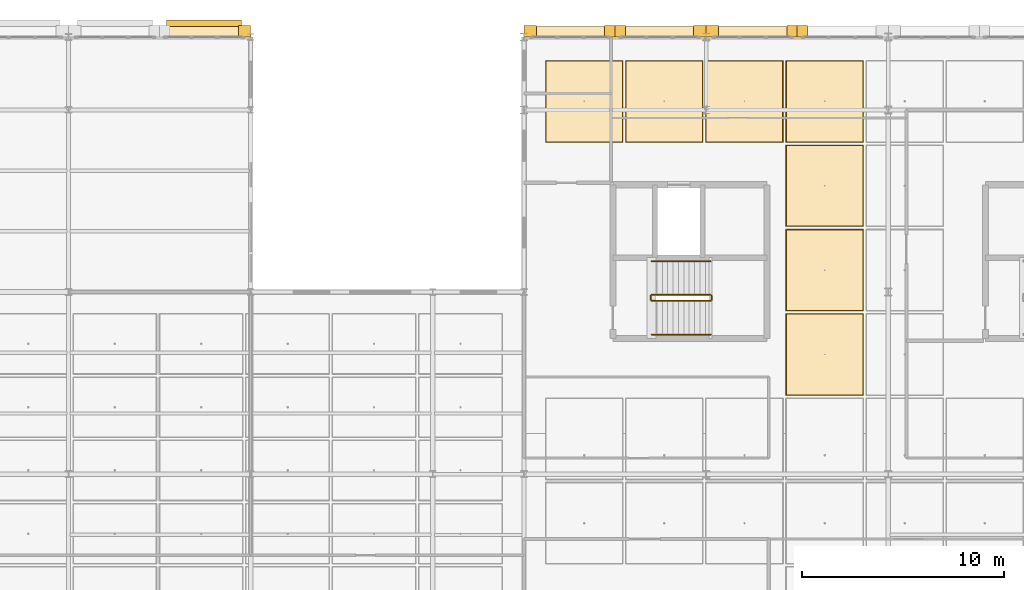
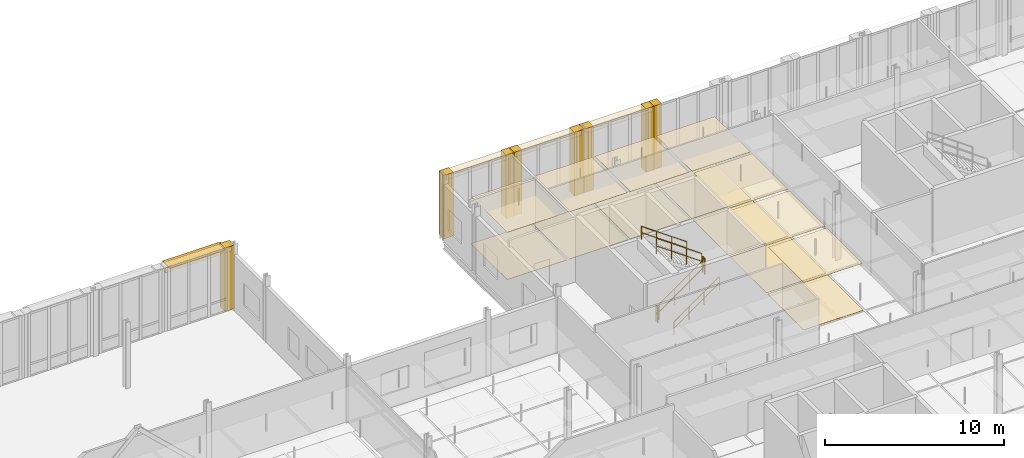
# One storey, part 127 of 130: 26 coverings, 6 railings, 1 shading device.
"""IFC4 building model written with IfcOpenShell, lengths in metres."""

from ifc_helpers import new_model, si_unit, direction, frame, origin, origin_2d, place, context, subcontext, project, spatial, rectangle, circle, extrude, material, layer, layer_set, type_object, element, save


model = new_model("IFC4")

# Units and contexts
model_context = context("Model", 3, precision=1e-05, world=origin(), true_north=direction((0.0, 1.0)))
body_context = subcontext(model_context, "Body", "Model", "MODEL_VIEW")
ifc_project = project(units=[si_unit("LENGTHUNIT", "METRE"), si_unit("AREAUNIT", "SQUARE_METRE"), si_unit("VOLUMEUNIT", "CUBIC_METRE"), si_unit("PLANEANGLEUNIT", "RADIAN"), si_unit("MASSUNIT", "GRAM", prefix="KILO"), si_unit("THERMODYNAMICTEMPERATUREUNIT", "KELVIN"), si_unit("POWERUNIT", "WATT")], contexts=[model_context])

# Site, building, storey
site_placement = place(None, origin())
site = spatial("IfcSite", under=ifc_project, at=site_placement, CompositionType="ELEMENT")
building_placement = place(site_placement, origin())
building = spatial("IfcBuilding", under=site, at=building_placement, Name="Tallowbark Science Centre", CompositionType="ELEMENT")
storey_placement = place(building_placement, frame((0.0, 0.0, 5.39990234375)))
storey = spatial("IfcBuildingStorey", under=building, at=storey_placement, Name="L01", CompositionType="ELEMENT", Elevation=5.39990234375)

# Coverings
ifc_material_1 = material(Name="Mineral-Fibre Acoustic Ceiling Tile Grid")
ifc_layer_1 = layer(ifc_material_1, 0.01806640625)
ifc_layer_set_1 = layer_set([ifc_layer_1], Name="Mineral-Fibre Acoustic Ceiling Tile Grid")
covering_type_1 = type_object("IfcCoveringType", Name="CLG-ACT-18", PredefinedType="CEILING", material=ifc_layer_set_1)
for number, where, z_axis, x_axis, name in (
    (1, (115.479248046875, 108.416748046875, 3.191162109375), (0.0, 0.0, 1.0), (1.0, 0.0, 0.0), "Suspended Ceiling L01-689"),
    (2, (119.4375, 108.416748046875, 3.191162109375), (0.0, 0.0, 1.0), (1.0, 0.0, 0.0), "Suspended Ceiling L01-692"),
    (3, (123.395751953125, 108.416748046875, 3.191162109375), (0.0, 0.0, 1.0), (1.0, 0.0, 0.0), "Suspended Ceiling L01-695"),
    (4, (127.354248046875, 95.916748046875, 3.191162109375), (0.0, 0.0, 1.0), (1.0, 0.0, 0.0), "Suspended Ceiling L01-701"),
    (5, (127.354248046875, 100.083251953125, 3.191162109375), (0.0, 0.0, 1.0), (1.0, 0.0, 0.0), "Suspended Ceiling L01-702"),
    (6, (127.354248046875, 104.25, 3.191162109375), (0.0, 0.0, 1.0), (1.0, 0.0, 0.0), "Suspended Ceiling L01-703"),
    (7, (127.354248046875, 108.416748046875, 3.191162109375), (0.0, 0.0, 1.0), (1.0, 0.0, 0.0), "Suspended Ceiling L01-704"),
):
    element("IfcCovering", number, at=place(storey_placement, frame(where, z_axis=z_axis, x_axis=x_axis)), inside=storey, type_object=covering_type_1, Name=name, PredefinedType="CEILING", context=body_context, shape_type="SweptSolid", body=[
        extrude(rectangle(XDim=3.7783203125, YDim=3.98681640625, at=origin_2d()), origin(), (0.0, 0.0, 1.0), 0.01806640625),
    ])
ifc_material_2 = material(Name="White Architectural Precast Concrete Grade N40 (40 MPa)", Category="concrete")
ifc_layer_2 = layer(ifc_material_2, 0.1201171875)
ifc_layer_set_2 = layer_set([ifc_layer_2], Name="White Architectural Precast Concrete Grade N40 (40 MPa)")
covering_type_2 = type_object("IfcCoveringType", Name="COV-PRC-CLAD", PredefinedType="CLADDING", material=ifc_layer_set_2)
for number, where, z_axis, x_axis, name in (
    (8, (98.695068359375, 111.8798828125, 0.0), (0.0, 0.0, 1.0), (-1.0, 0.0, 0.0), "Postmodern Deep Precast Pier CW-L01-057-1"),
    (9, (121.195068359375, 111.8798828125, 0.0), (0.0, 0.0, 1.0), (-1.0, 0.0, 0.0), "Postmodern Deep Precast Pier CW-L01-114-1"),
):
    element("IfcCovering", number, at=place(storey_placement, frame(where, z_axis=z_axis, x_axis=x_axis)), inside=storey, type_object=covering_type_2, Name=name, PredefinedType="CLADDING", context=body_context, shape_type="SweptSolid", body=[
        extrude(rectangle(XDim=0.610107421875, YDim=0.56005859375, at=origin_2d()), origin(), (0.0, 0.0, 1.0), 4.320068359375),
    ])
for number, where, z_axis, x_axis, name in (
    (10, (117.2548828125, 111.8798828125, 0.0), (0.0, 0.0, 1.0), (-1.0, 0.0, 0.0), "Postmodern Deep Precast Pier CW-L01-114-2"),
    (11, (116.7451171875, 111.8798828125, 0.0), (0.0, 0.0, 1.0), (-1.0, 0.0, 0.0), "Postmodern Deep Precast Pier CW-L01-115-1"),
):
    element("IfcCovering", number, at=place(storey_placement, frame(where, z_axis=z_axis, x_axis=x_axis)), inside=storey, type_object=covering_type_2, Name=name, PredefinedType="CLADDING", context=body_context, shape_type="SweptSolid", body=[
        extrude(rectangle(XDim=0.510009765625, YDim=0.56005859375, at=origin_2d()), origin(), (0.0, 0.0, 1.0), 4.320068359375),
    ])
covering_1_placement = place(storey_placement, frame((112.804931640625, 111.8798828125, 0.0), z_axis=(0.0, 0.0, 1.0), x_axis=(-1.0, 0.0, 0.0)))
element("IfcCovering", 12, at=covering_1_placement, inside=storey, type_object=covering_type_2, Name="Postmodern Deep Precast Pier CW-L01-115-2", PredefinedType="CLADDING", context=body_context, shape_type="SweptSolid", body=[
    extrude(rectangle(XDim=0.610107421875, YDim=0.56005859375, at=origin_2d()), origin(), (0.0, 0.0, 1.0), 4.320068359375),
])
for number, where, z_axis, x_axis, name in (
    (13, (126.2548828125, 111.8798828125, 0.0), (0.0, 0.0, 1.0), (-1.0, 0.0, 0.0), "Postmodern Deep Precast Pier CW-L01-118-2"),
    (14, (125.7451171875, 111.8798828125, 0.0), (0.0, 0.0, 1.0), (-1.0, 0.0, 0.0), "Postmodern Deep Precast Pier CW-L01-119-1"),
):
    element("IfcCovering", number, at=place(storey_placement, frame(where, z_axis=z_axis, x_axis=x_axis)), inside=storey, type_object=covering_type_2, Name=name, PredefinedType="CLADDING", context=body_context, shape_type="SweptSolid", body=[
        extrude(rectangle(XDim=0.510009765625, YDim=0.56005859375, at=origin_2d()), origin(), (0.0, 0.0, 1.0), 4.320068359375),
    ])
covering_2_placement = place(storey_placement, frame((121.804931640625, 111.8798828125, 0.0), z_axis=(0.0, 0.0, 1.0), x_axis=(-1.0, 0.0, 0.0)))
element("IfcCovering", 15, at=covering_2_placement, inside=storey, type_object=covering_type_2, Name="Postmodern Deep Precast Pier CW-L01-119-2", PredefinedType="CLADDING", context=body_context, shape_type="SweptSolid", body=[
    extrude(rectangle(XDim=0.610107421875, YDim=0.56005859375, at=origin_2d()), origin(), (0.0, 0.0, 1.0), 4.320068359375),
])
ifc_material_3 = material(Name="Vitrified Ochre Terracotta Architectural Rainscreen", Category="masonry")
ifc_layer_3 = layer(ifc_material_3, 0.0380859375)
ifc_layer_set_3 = layer_set([ifc_layer_3], Name="Vitrified Ochre Terracotta Architectural Rainscreen")
covering_type_3 = type_object("IfcCoveringType", Name="COV-TER-CLAD", PredefinedType="CLADDING", material=ifc_layer_set_3)
for number, where, z_axis, x_axis, name in (
    (16, (96.699951171875, 111.860107421875, 3.97021484375), (0.0, 0.0, 1.0), (-1.0, 0.0, 0.0), "Postmodern Terracotta Cornice Band CW-L01-057"),
    (17, (119.199951171875, 111.860107421875, 3.97021484375), (0.0, 0.0, 1.0), (-1.0, 0.0, 0.0), "Postmodern Terracotta Cornice Band CW-L01-114"),
    (18, (114.800048828125, 111.860107421875, 3.97021484375), (0.0, 0.0, 1.0), (-1.0, 0.0, 0.0), "Postmodern Terracotta Cornice Band CW-L01-115"),
    (19, (123.800048828125, 111.860107421875, 3.97021484375), (0.0, 0.0, 1.0), (-1.0, 0.0, 0.0), "Postmodern Terracotta Cornice Band CW-L01-119"),
):
    element("IfcCovering", number, at=place(storey_placement, frame(where, z_axis=z_axis, x_axis=x_axis)), inside=storey, type_object=covering_type_3, Name=name, PredefinedType="CLADDING", context=body_context, shape_type="SweptSolid", body=[
        extrude(rectangle(XDim=4.300048828125, YDim=0.52001953125, at=origin_2d()), origin(), (0.0, 0.0, 1.0), 0.340087890625),
    ])
ifc_material_4 = material(Name="Engineered Blackbutt Gallery Timber Flooring", Category="wood")
ifc_layer_4 = layer(ifc_material_4, 0.02197265625)
ifc_layer_set_4 = layer_set([ifc_layer_4], Name="Engineered Blackbutt Gallery Timber Flooring")
covering_type_4 = type_object("IfcCoveringType", Name="FLR-TIM-22", PredefinedType="FLOORING", material=ifc_layer_set_4)
for number, where, z_axis, x_axis, name in (
    (20, (115.479248046875, 108.416748046875, 0.0), (0.0, 0.0, 1.0), (1.0, 0.0, 0.0), "Floor Finish L01-689"),
    (21, (119.4375, 108.416748046875, 0.0), (0.0, 0.0, 1.0), (1.0, 0.0, 0.0), "Floor Finish L01-692"),
    (22, (123.395751953125, 108.416748046875, 0.0), (0.0, 0.0, 1.0), (1.0, 0.0, 0.0), "Floor Finish L01-695"),
    (23, (127.354248046875, 95.916748046875, 0.0), (0.0, 0.0, 1.0), (1.0, 0.0, 0.0), "Floor Finish L01-701"),
    (24, (127.354248046875, 100.083251953125, 0.0), (0.0, 0.0, 1.0), (1.0, 0.0, 0.0), "Floor Finish L01-702"),
    (25, (127.354248046875, 104.25, 0.0), (0.0, 0.0, 1.0), (1.0, 0.0, 0.0), "Floor Finish L01-703"),
    (26, (127.354248046875, 108.416748046875, 0.0), (0.0, 0.0, 1.0), (1.0, 0.0, 0.0), "Floor Finish L01-704"),
):
    element("IfcCovering", number, at=place(storey_placement, frame(where, z_axis=z_axis, x_axis=x_axis)), inside=storey, type_object=covering_type_4, Name=name, PredefinedType="FLOORING", context=body_context, shape_type="SweptSolid", body=[
        extrude(rectangle(XDim=3.83837890625, YDim=4.046630859375, at=origin_2d()), origin(), (0.0, 0.0, 1.0), 0.02197265625),
    ])

# Railings
ifc_material_5 = material(Name="Galvanised Painted Steel and Laminated Glass Balustrade", Category="steel")
ifc_layer_5 = layer(ifc_material_5, 0.070068359375)
ifc_layer_set_5 = layer_set([ifc_layer_5], Name="Galvanised Painted Steel and Laminated Glass Balustrade")
railing_type_1 = type_object("IfcRailingType", Name="RLG-BAL-1150", PredefinedType="BALUSTRADE", material=ifc_layer_set_5)
railing_1_placement = place(storey_placement, frame((118.81005859375, 98.56005859375, 0.1875)))
element("IfcRailing", 27, at=railing_1_placement, inside=storey, type_object=railing_type_1, Name="L01 ST-05 stair guard 1", PredefinedType="BALUSTRADE", context=body_context, shape_type="SweptSolid", body=[
    extrude(circle(Radius=0.02392578125, at=origin_2d()), frame((0.0, 0.0, 1.076171875), z_axis=(0.816330724661, 0.0, 0.577584753931), x_axis=(0.0, 1.0, 0.0)), (0.0, 0.0, 1.0), 3.57080078125),
    extrude(circle(Radius=0.02392578125, at=origin_2d()), frame((0.0, 0.0, 0.550048828125), z_axis=(0.816330724661, 0.0, 0.577584753931), x_axis=(0.0, 1.0, 0.0)), (0.0, 0.0, 1.0), 3.57080078125),
    extrude(circle(Radius=0.02099609375, at=origin_2d()), origin(), (0.0, 0.0, 1.0), 1.052001953125),
    extrude(circle(Radius=0.02099609375, at=origin_2d()), frame((0.9716796875, 0.0, 0.6875)), (0.0, 0.0, 1.0), 1.052001953125),
    extrude(circle(Radius=0.02099609375, at=origin_2d()), frame((1.943359375, 0.0, 1.375)), (0.0, 0.0, 1.0), 1.052001953125),
    extrude(circle(Radius=0.02099609375, at=origin_2d()), frame((2.9150390625, 0.0, 2.0625)), (0.0, 0.0, 1.0), 1.052001953125),
])
railing_2_placement = place(storey_placement, frame((121.77490234375, 98.610107421875, 2.25)))
element("IfcRailing", 28, at=railing_2_placement, inside=storey, type_object=railing_type_1, Name="L01 ST-05 stair guard 2", PredefinedType="BALUSTRADE", context=body_context, shape_type="SweptSolid", body=[
    extrude(circle(Radius=0.02392578125, at=origin_2d()), frame((0.0, 0.0, 1.076171875), z_axis=(0.0, 1.0, 0.0), x_axis=(-1.0, 0.0, 0.0)), (0.0, 0.0, 1.0), 0.199951171875),
    extrude(circle(Radius=0.02392578125, at=origin_2d()), frame((0.0, 0.0, 0.550048828125), z_axis=(0.0, 1.0, 0.0), x_axis=(-1.0, 0.0, 0.0)), (0.0, 0.0, 1.0), 0.199951171875),
    extrude(circle(Radius=0.02099609375, at=origin_2d()), origin(), (0.0, 0.0, 1.0), 1.052001953125),
    extrude(circle(Radius=0.02099609375, at=origin_2d()), frame((0.0, 0.199951171875, 0.0)), (0.0, 0.0, 1.0), 1.052001953125),
])
railing_3_placement = place(storey_placement, frame((121.72509765625, 98.860107421875, 2.4375)))
element("IfcRailing", 29, at=railing_3_placement, inside=storey, type_object=railing_type_1, Name="L01 ST-05 stair guard 3", PredefinedType="BALUSTRADE", context=body_context, shape_type="SweptSolid", body=[
    extrude(circle(Radius=0.02392578125, at=origin_2d()), frame((0.0, 0.0, 1.076171875), z_axis=(-0.816330724661, 0.0, 0.577584753931), x_axis=(0.0, -1.0, 0.0)), (0.0, 0.0, 1.0), 3.57080078125),
    extrude(circle(Radius=0.02392578125, at=origin_2d()), frame((0.0, 0.0, 0.550048828125), z_axis=(-0.816330724661, 0.0, 0.577584753931), x_axis=(0.0, -1.0, 0.0)), (0.0, 0.0, 1.0), 3.57080078125),
    extrude(circle(Radius=0.02099609375, at=origin_2d()), origin(), (0.0, 0.0, 1.0), 1.052001953125),
    extrude(circle(Radius=0.02099609375, at=origin_2d()), frame((-0.9716796875, 0.0, 0.6875)), (0.0, 0.0, 1.0), 1.052001953125),
    extrude(circle(Radius=0.02099609375, at=origin_2d()), frame((-1.943359375, 0.0, 1.375)), (0.0, 0.0, 1.0), 1.052001953125),
    extrude(circle(Radius=0.02099609375, at=origin_2d()), frame((-2.9150390625, 0.0, 2.0625)), (0.0, 0.0, 1.0), 1.052001953125),
])
railing_4_placement = place(storey_placement, frame((118.760009765625, 98.610107421875, 0.0)))
element("IfcRailing", 30, at=railing_4_placement, inside=storey, type_object=railing_type_1, Name="L01 ST-05 stair guard 4", PredefinedType="BALUSTRADE", context=body_context, shape_type="SweptSolid", body=[
    extrude(circle(Radius=0.02392578125, at=origin_2d()), frame((0.0, 0.0, 1.076171875), z_axis=(0.0, 1.0, 0.0), x_axis=(-1.0, 0.0, 0.0)), (0.0, 0.0, 1.0), 0.199951171875),
    extrude(circle(Radius=0.02392578125, at=origin_2d()), frame((0.0, 0.0, 0.550048828125), z_axis=(0.0, 1.0, 0.0), x_axis=(-1.0, 0.0, 0.0)), (0.0, 0.0, 1.0), 0.199951171875),
    extrude(circle(Radius=0.02099609375, at=origin_2d()), origin(), (0.0, 0.0, 1.0), 1.052001953125),
    extrude(circle(Radius=0.02099609375, at=origin_2d()), frame((0.0, 0.199951171875, 0.0)), (0.0, 0.0, 1.0), 1.052001953125),
])
ifc_material_6 = material(Name="Brushed Grade 316 Stainless Steel Handrail", Category="steel")
ifc_layer_6 = layer(ifc_material_6, 0.050048828125)
ifc_layer_set_6 = layer_set([ifc_layer_6], Name="Brushed Grade 316 Stainless Steel Handrail")
railing_type_2 = type_object("IfcRailingType", Name="RLG-HDR-950", PredefinedType="HANDRAIL", material=ifc_layer_set_6)
railing_5_placement = place(storey_placement, frame((118.81005859375, 96.89990234375, 0.1875)))
element("IfcRailing", 31, at=railing_5_placement, inside=storey, type_object=railing_type_2, Name="L01 ST-05 stair handrail 1", PredefinedType="HANDRAIL", context=body_context, shape_type="SweptSolid", body=[
    extrude(circle(Radius=0.02392578125, at=origin_2d()), frame((0.0, 0.0, 0.8759765625), z_axis=(0.816330724661, 0.0, 0.577584753931), x_axis=(0.0, 1.0, 0.0)), (0.0, 0.0, 1.0), 3.57080078125),
    extrude(circle(Radius=0.02392578125, at=origin_2d()), frame((0.0, 0.0, 0.449951171875), z_axis=(0.816330724661, 0.0, 0.577584753931), x_axis=(0.0, 1.0, 0.0)), (0.0, 0.0, 1.0), 3.57080078125),
    extrude(circle(Radius=0.02099609375, at=origin_2d()), origin(), (0.0, 0.0, 1.0), 0.851806640625),
    extrude(circle(Radius=0.02099609375, at=origin_2d()), frame((0.9716796875, 0.0, 0.6875)), (0.0, 0.0, 1.0), 0.851806640625),
    extrude(circle(Radius=0.02099609375, at=origin_2d()), frame((1.943359375, 0.0, 1.375)), (0.0, 0.0, 1.0), 0.851806640625),
    extrude(circle(Radius=0.02099609375, at=origin_2d()), frame((2.9150390625, 0.0, 2.0625)), (0.0, 0.0, 1.0), 0.851806640625),
])
railing_6_placement = place(storey_placement, frame((121.72509765625, 100.52001953125, 2.4375)))
element("IfcRailing", 32, at=railing_6_placement, inside=storey, type_object=railing_type_2, Name="L01 ST-05 stair handrail 2", PredefinedType="HANDRAIL", context=body_context, shape_type="SweptSolid", body=[
    extrude(circle(Radius=0.02392578125, at=origin_2d()), frame((0.0, 0.0, 0.8759765625), z_axis=(-0.816330724661, 0.0, 0.577584753931), x_axis=(0.0, -1.0, 0.0)), (0.0, 0.0, 1.0), 3.57080078125),
    extrude(circle(Radius=0.02392578125, at=origin_2d()), frame((0.0, 0.0, 0.449951171875), z_axis=(-0.816330724661, 0.0, 0.577584753931), x_axis=(0.0, -1.0, 0.0)), (0.0, 0.0, 1.0), 3.57080078125),
    extrude(circle(Radius=0.02099609375, at=origin_2d()), origin(), (0.0, 0.0, 1.0), 0.851806640625),
    extrude(circle(Radius=0.02099609375, at=origin_2d()), frame((-0.9716796875, 0.0, 0.6875)), (0.0, 0.0, 1.0), 0.851806640625),
    extrude(circle(Radius=0.02099609375, at=origin_2d()), frame((-1.943359375, 0.0, 1.375)), (0.0, 0.0, 1.0), 0.851806640625),
    extrude(circle(Radius=0.02099609375, at=origin_2d()), frame((-2.9150390625, 0.0, 2.0625)), (0.0, 0.0, 1.0), 0.851806640625),
])

# Shading device
ifc_material_7 = material(Name="Terracotta-Anodised Extruded Aluminium Sunshade Blade", Category="masonry")
ifc_layer_7 = layer(ifc_material_7, 0.054931640625)
ifc_layer_set_7 = layer_set([ifc_layer_7], Name="Terracotta-Anodised Extruded Aluminium Sunshade Blade")
shading_device_type = type_object("IfcShadingDeviceType", Name="SHD-LVR-300", PredefinedType="AWNING", material=ifc_layer_set_7)
shading_device_placement = place(storey_placement, frame((96.699951171875, 112.02001953125, 4.1328125), z_axis=(0.0, 0.0, 1.0), x_axis=(-1.0, 0.0, 0.0)))
element("IfcShadingDevice", 33, at=shading_device_placement, inside=storey, type_object=shading_device_type, Name="Horizontal Solar Louvre Hood CW-L01-057", PredefinedType="AWNING", context=body_context, shape_type="SweptSolid", body=[
    extrude(rectangle(XDim=3.699951171875, YDim=0.840087890625, at=origin_2d()), origin(), (0.0, 0.0, 1.0), 0.054931640625),
])

save(model, "model.ifc")
